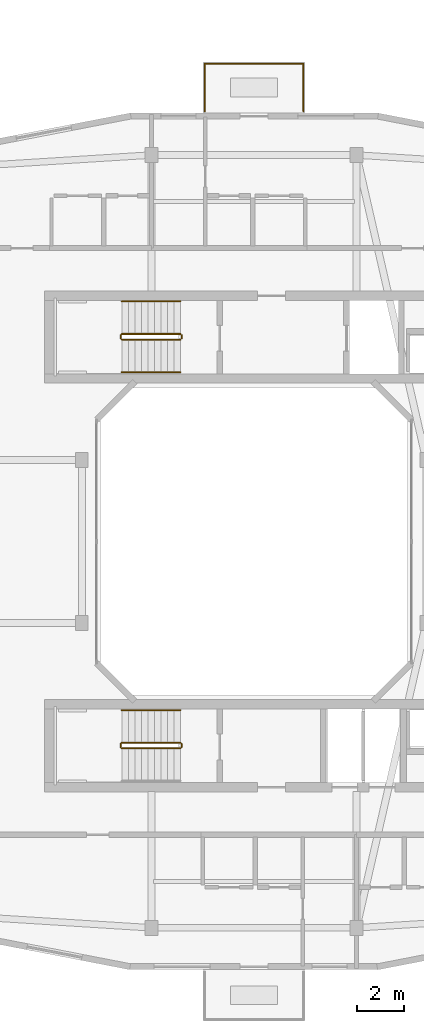
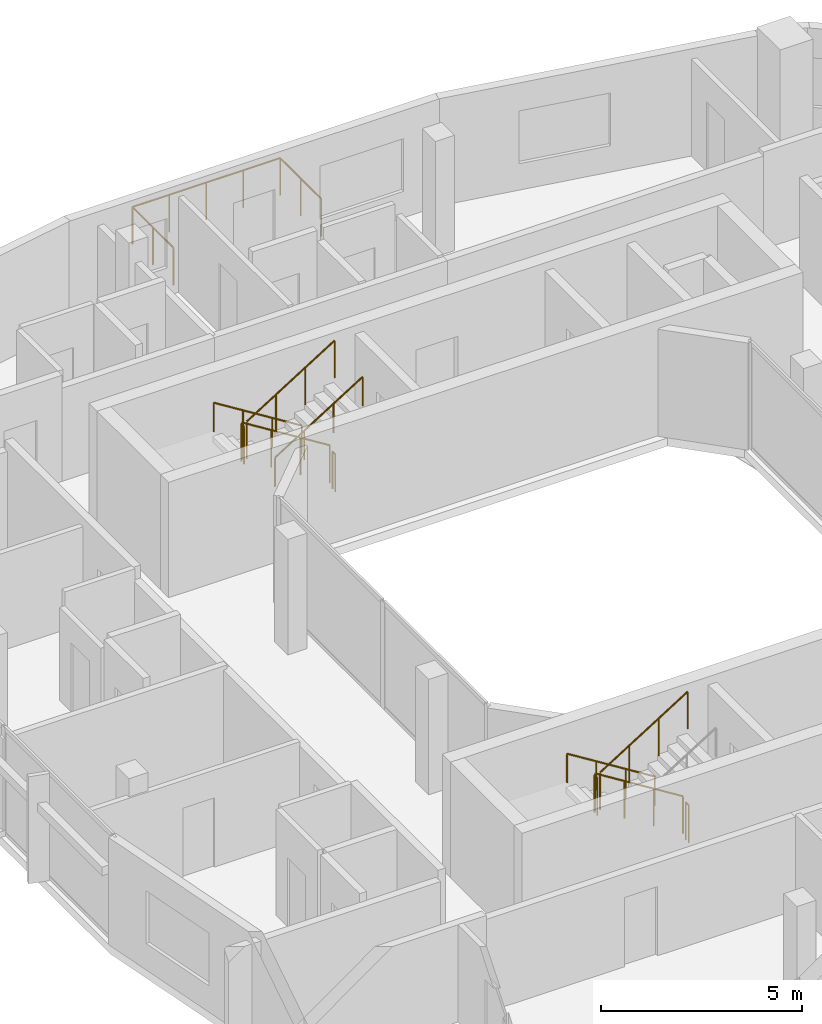
# One storey, part 22 of 22: 14 railings.
"""IFC4 building model written with IfcOpenShell, lengths in metres."""

from ifc_helpers import new_model, si_unit, derived_unit, direction, frame, origin, origin_2d, place, context, subcontext, project, spatial, circle, extrude, material, type_object, element, save


model = new_model("IFC4")

# Units and contexts
model_context = context("Model", 3, precision=1e-05, world=origin(), true_north=direction((0.0, 1.0)))
body_context = subcontext(model_context, "Body", "Model", "MODEL_VIEW")
ifc_project = project(units=[si_unit("LENGTHUNIT", "METRE"), si_unit("AREAUNIT", "SQUARE_METRE"), si_unit("VOLUMEUNIT", "CUBIC_METRE"), si_unit("PLANEANGLEUNIT", "RADIAN"), si_unit("MASSUNIT", "GRAM", prefix="KILO"), derived_unit("THERMALTRANSMITTANCEUNIT", [(si_unit("POWERUNIT", "WATT"), 1), (si_unit("LENGTHUNIT", "METRE"), -2), (si_unit("THERMODYNAMICTEMPERATUREUNIT", "KELVIN"), -1)])], contexts=[model_context])

# Site, building, storey
site_placement = place(None, origin())
site = spatial("IfcSite", under=ifc_project, at=site_placement, CompositionType="ELEMENT")
building_placement = place(site_placement, origin())
building = spatial("IfcBuilding", under=site, at=building_placement, Name="Kivonza Crest Hotel", CompositionType="ELEMENT")
storey_placement = place(building_placement, frame((0.0, 0.0, 112.5)))
storey = spatial("IfcBuildingStorey", under=building, at=storey_placement, Name="L30", CompositionType="ELEMENT", Elevation=112.5)

# Railings
ifc_material_1 = material(Name="Brushed stainless steel handrail", Category="steel")
railing_type_1 = type_object("IfcRailingType", Name="RL-HAND-900", PredefinedType="HANDRAIL", material=ifc_material_1)
railing_1_placement = place(storey_placement, frame((73.840087890625, 35.31005859375, 0.175048828125)))
element("IfcRailing", 1, at=railing_1_placement, inside=storey, type_object=railing_type_1, Name="L30 ST-T2-N stair handrail 1", PredefinedType="HANDRAIL", context=body_context, shape_type="SweptSolid", body=[
    extrude(circle(Radius=0.02392578125, at=origin_2d()), frame((0.0, 0.0, 0.8759765625), z_axis=(-0.848007534815, 0.0, 0.529984170421), x_axis=(0.0, -1.0, 0.0)), (0.0, 0.0, 1.0), 2.9716796875),
    extrude(circle(Radius=0.02099609375, at=origin_2d()), origin(), (0.0, 0.0, 1.0), 0.851806640625),
    extrude(circle(Radius=0.02099609375, at=origin_2d()), frame((-0.840087890625, 0.0, 0.52490234375)), (0.0, 0.0, 1.0), 0.851806640625),
    extrude(circle(Radius=0.02099609375, at=origin_2d()), frame((-1.679931640625, 0.0, 1.050048828125)), (0.0, 0.0, 1.0), 0.851806640625),
    extrude(circle(Radius=0.02099609375, at=origin_2d()), frame((-2.52001953125, 0.0, 1.574951171875)), (0.0, 0.0, 1.0), 0.851806640625),
])
railing_2_placement = place(storey_placement, frame((71.320068359375, 32.27001953125, 1.925048828125)))
element("IfcRailing", 2, at=railing_2_placement, inside=storey, type_object=railing_type_1, Name="L30 ST-T2-N stair handrail 2", PredefinedType="HANDRAIL", context=body_context, shape_type="SweptSolid", body=[
    extrude(circle(Radius=0.02392578125, at=origin_2d()), frame((0.0, 0.0, 0.8759765625), z_axis=(0.848007534815, 0.0, 0.529984170421), x_axis=(0.0, 1.0, 0.0)), (0.0, 0.0, 1.0), 2.9716796875),
    extrude(circle(Radius=0.02099609375, at=origin_2d()), origin(), (0.0, 0.0, 1.0), 0.851806640625),
    extrude(circle(Radius=0.02099609375, at=origin_2d()), frame((0.840087890625, 0.0, 0.52490234375)), (0.0, 0.0, 1.0), 0.851806640625),
    extrude(circle(Radius=0.02099609375, at=origin_2d()), frame((1.679931640625, 0.0, 1.050048828125)), (0.0, 0.0, 1.0), 0.851806640625),
    extrude(circle(Radius=0.02099609375, at=origin_2d()), frame((2.52001953125, 0.0, 1.574951171875)), (0.0, 0.0, 1.0), 0.851806640625),
])
railing_3_placement = place(storey_placement, frame((73.840087890625, 17.75, 0.175048828125)))
element("IfcRailing", 3, at=railing_3_placement, inside=storey, type_object=railing_type_1, Name="L30 ST-T2-S stair handrail 1", PredefinedType="HANDRAIL", context=body_context, shape_type="SweptSolid", body=[
    extrude(circle(Radius=0.02392578125, at=origin_2d()), frame((0.0, 0.0, 0.8759765625), z_axis=(-0.848007534815, 0.0, 0.529984170421), x_axis=(0.0, -1.0, 0.0)), (0.0, 0.0, 1.0), 2.9716796875),
    extrude(circle(Radius=0.02099609375, at=origin_2d()), origin(), (0.0, 0.0, 1.0), 0.851806640625),
    extrude(circle(Radius=0.02099609375, at=origin_2d()), frame((-0.840087890625, 0.0, 0.52490234375)), (0.0, 0.0, 1.0), 0.851806640625),
    extrude(circle(Radius=0.02099609375, at=origin_2d()), frame((-1.679931640625, 0.0, 1.050048828125)), (0.0, 0.0, 1.0), 0.851806640625),
    extrude(circle(Radius=0.02099609375, at=origin_2d()), frame((-2.52001953125, 0.0, 1.574951171875)), (0.0, 0.0, 1.0), 0.851806640625),
])
ifc_material_2 = material(Name="Painted steel balustrade", Category="steel")
railing_type_2 = type_object("IfcRailingType", Name="RL-STAIR-1150", PredefinedType="BALUSTRADE", material=ifc_material_2)
railing_4_placement = place(storey_placement, frame((73.840087890625, 33.909912109375, 0.175048828125)))
element("IfcRailing", 4, at=railing_4_placement, inside=storey, type_object=railing_type_2, Name="L30 ST-T2-N stair guard 1", PredefinedType="BALUSTRADE", context=body_context, shape_type="SweptSolid", body=[
    extrude(circle(Radius=0.02392578125, at=origin_2d()), frame((0.0, 0.0, 1.1259765625), z_axis=(-0.848007534815, 0.0, 0.529984170421), x_axis=(0.0, -1.0, 0.0)), (0.0, 0.0, 1.0), 2.9716796875),
    extrude(circle(Radius=0.02099609375, at=origin_2d()), origin(), (0.0, 0.0, 1.0), 1.101806640625),
    extrude(circle(Radius=0.02099609375, at=origin_2d()), frame((-0.840087890625, 0.0, 0.52490234375)), (0.0, 0.0, 1.0), 1.101806640625),
    extrude(circle(Radius=0.02099609375, at=origin_2d()), frame((-1.679931640625, 0.0, 1.050048828125)), (0.0, 0.0, 1.0), 1.101806640625),
    extrude(circle(Radius=0.02099609375, at=origin_2d()), frame((-2.52001953125, 0.0, 1.574951171875)), (0.0, 0.0, 1.0), 1.101806640625),
])
railing_5_placement = place(storey_placement, frame((71.27001953125, 33.860107421875, 1.75)))
element("IfcRailing", 5, at=railing_5_placement, inside=storey, type_object=railing_type_2, Name="L30 ST-T2-N stair guard 2", PredefinedType="BALUSTRADE", context=body_context, shape_type="SweptSolid", body=[
    extrude(circle(Radius=0.02392578125, at=origin_2d()), frame((0.0, 0.0, 1.1259765625), z_axis=(0.0, -1.0, 0.0), x_axis=(1.0, 0.0, 0.0)), (0.0, 0.0, 1.0), 0.14013671875),
    extrude(circle(Radius=0.02099609375, at=origin_2d()), origin(), (0.0, 0.0, 1.0), 1.101806640625),
    extrude(circle(Radius=0.02099609375, at=origin_2d()), frame((0.0, -0.14013671875, 0.0)), (0.0, 0.0, 1.0), 1.101806640625),
])
railing_6_placement = place(storey_placement, frame((71.320068359375, 33.669921875, 1.925048828125)))
element("IfcRailing", 6, at=railing_6_placement, inside=storey, type_object=railing_type_2, Name="L30 ST-T2-N stair guard 3", PredefinedType="BALUSTRADE", context=body_context, shape_type="SweptSolid", body=[
    extrude(circle(Radius=0.02392578125, at=origin_2d()), frame((0.0, 0.0, 1.1259765625), z_axis=(0.848007534815, 0.0, 0.529984170421), x_axis=(0.0, 1.0, 0.0)), (0.0, 0.0, 1.0), 2.9716796875),
    extrude(circle(Radius=0.02099609375, at=origin_2d()), origin(), (0.0, 0.0, 1.0), 1.101806640625),
    extrude(circle(Radius=0.02099609375, at=origin_2d()), frame((0.840087890625, 0.0, 0.52490234375)), (0.0, 0.0, 1.0), 1.101806640625),
    extrude(circle(Radius=0.02099609375, at=origin_2d()), frame((1.679931640625, 0.0, 1.050048828125)), (0.0, 0.0, 1.0), 1.101806640625),
    extrude(circle(Radius=0.02099609375, at=origin_2d()), frame((2.52001953125, 0.0, 1.574951171875)), (0.0, 0.0, 1.0), 1.101806640625),
])
railing_7_placement = place(storey_placement, frame((73.889892578125, 33.860107421875, 0.0)))
element("IfcRailing", 7, at=railing_7_placement, inside=storey, type_object=railing_type_2, Name="L30 ST-T2-N stair guard 4", PredefinedType="BALUSTRADE", context=body_context, shape_type="SweptSolid", body=[
    extrude(circle(Radius=0.02392578125, at=origin_2d()), frame((0.0, 0.0, 1.1259765625), z_axis=(0.0, -1.0, 0.0), x_axis=(1.0, 0.0, 0.0)), (0.0, 0.0, 1.0), 0.14013671875),
    extrude(circle(Radius=0.02099609375, at=origin_2d()), origin(), (0.0, 0.0, 1.0), 1.101806640625),
    extrude(circle(Radius=0.02099609375, at=origin_2d()), frame((0.0, -0.14013671875, 0.0)), (0.0, 0.0, 1.0), 1.101806640625),
])
railing_8_placement = place(storey_placement, frame((73.840087890625, 16.35009765625, 0.175048828125)))
element("IfcRailing", 8, at=railing_8_placement, inside=storey, type_object=railing_type_2, Name="L30 ST-T2-S stair guard 1", PredefinedType="BALUSTRADE", context=body_context, shape_type="SweptSolid", body=[
    extrude(circle(Radius=0.02392578125, at=origin_2d()), frame((0.0, 0.0, 1.1259765625), z_axis=(-0.848007534815, 0.0, 0.529984170421), x_axis=(0.0, -1.0, 0.0)), (0.0, 0.0, 1.0), 2.9716796875),
    extrude(circle(Radius=0.02099609375, at=origin_2d()), origin(), (0.0, 0.0, 1.0), 1.101806640625),
    extrude(circle(Radius=0.02099609375, at=origin_2d()), frame((-0.840087890625, 0.0, 0.52490234375)), (0.0, 0.0, 1.0), 1.101806640625),
    extrude(circle(Radius=0.02099609375, at=origin_2d()), frame((-1.679931640625, 0.0, 1.050048828125)), (0.0, 0.0, 1.0), 1.101806640625),
    extrude(circle(Radius=0.02099609375, at=origin_2d()), frame((-2.52001953125, 0.0, 1.574951171875)), (0.0, 0.0, 1.0), 1.101806640625),
])
railing_9_placement = place(storey_placement, frame((71.27001953125, 16.300048828125, 1.75)))
element("IfcRailing", 9, at=railing_9_placement, inside=storey, type_object=railing_type_2, Name="L30 ST-T2-S stair guard 2", PredefinedType="BALUSTRADE", context=body_context, shape_type="SweptSolid", body=[
    extrude(circle(Radius=0.02392578125, at=origin_2d()), frame((0.0, 0.0, 1.1259765625), z_axis=(0.0, -1.0, 0.0), x_axis=(1.0, 0.0, 0.0)), (0.0, 0.0, 1.0), 0.14013671875),
    extrude(circle(Radius=0.02099609375, at=origin_2d()), origin(), (0.0, 0.0, 1.0), 1.101806640625),
    extrude(circle(Radius=0.02099609375, at=origin_2d()), frame((0.0, -0.14013671875, 0.0)), (0.0, 0.0, 1.0), 1.101806640625),
])
railing_10_placement = place(storey_placement, frame((71.320068359375, 16.110107421875, 1.925048828125)))
element("IfcRailing", 10, at=railing_10_placement, inside=storey, type_object=railing_type_2, Name="L30 ST-T2-S stair guard 3", PredefinedType="BALUSTRADE", context=body_context, shape_type="SweptSolid", body=[
    extrude(circle(Radius=0.02392578125, at=origin_2d()), frame((0.0, 0.0, 1.1259765625), z_axis=(0.848007534815, 0.0, 0.529984170421), x_axis=(0.0, 1.0, 0.0)), (0.0, 0.0, 1.0), 2.9716796875),
    extrude(circle(Radius=0.02099609375, at=origin_2d()), origin(), (0.0, 0.0, 1.0), 1.101806640625),
    extrude(circle(Radius=0.02099609375, at=origin_2d()), frame((0.840087890625, 0.0, 0.52490234375)), (0.0, 0.0, 1.0), 1.101806640625),
    extrude(circle(Radius=0.02099609375, at=origin_2d()), frame((1.679931640625, 0.0, 1.050048828125)), (0.0, 0.0, 1.0), 1.101806640625),
    extrude(circle(Radius=0.02099609375, at=origin_2d()), frame((2.52001953125, 0.0, 1.574951171875)), (0.0, 0.0, 1.0), 1.101806640625),
])
railing_11_placement = place(storey_placement, frame((73.889892578125, 16.300048828125, 0.0)))
element("IfcRailing", 11, at=railing_11_placement, inside=storey, type_object=railing_type_2, Name="L30 ST-T2-S stair guard 4", PredefinedType="BALUSTRADE", context=body_context, shape_type="SweptSolid", body=[
    extrude(circle(Radius=0.02392578125, at=origin_2d()), frame((0.0, 0.0, 1.1259765625), z_axis=(0.0, -1.0, 0.0), x_axis=(1.0, 0.0, 0.0)), (0.0, 0.0, 1.0), 0.14013671875),
    extrude(circle(Radius=0.02099609375, at=origin_2d()), origin(), (0.0, 0.0, 1.0), 1.101806640625),
    extrude(circle(Radius=0.02099609375, at=origin_2d()), frame((0.0, -0.14013671875, 0.0)), (0.0, 0.0, 1.0), 1.101806640625),
])
ifc_material_3 = material(Name="Laminated glass and stainless steel balustrade", Category="steel")
railing_type_3 = type_object("IfcRailingType", Name="RL-TERR-1150", PredefinedType="BALUSTRADE", material=ifc_material_3)
railing_12_placement = place(storey_placement, frame((74.8798828125, 43.47998046875, 0.0)))
element("IfcRailing", 12, at=railing_12_placement, inside=storey, type_object=railing_type_3, Name="L30 T2-L30-SG-NE perimeter safety balustrade 1", PredefinedType="BALUSTRADE", context=body_context, shape_type="SweptSolid", body=[
    extrude(circle(Radius=0.02392578125, at=origin_2d()), frame((0.0, 0.0, 1.1259765625), z_axis=(0.0, 1.0, 0.0), x_axis=(-1.0, 0.0, 0.0)), (0.0, 0.0, 1.0), 2.0400390625),
    extrude(circle(Radius=0.02099609375, at=origin_2d()), origin(), (0.0, 0.0, 1.0), 1.101806640625),
    extrude(circle(Radius=0.02099609375, at=origin_2d()), frame((0.0, 1.02001953125, 0.0)), (0.0, 0.0, 1.0), 1.101806640625),
    extrude(circle(Radius=0.02099609375, at=origin_2d()), frame((0.0, 2.0400390625, 0.0)), (0.0, 0.0, 1.0), 1.101806640625),
])
railing_13_placement = place(storey_placement, frame((74.8798828125, 45.52001953125, 0.0)))
element("IfcRailing", 13, at=railing_13_placement, inside=storey, type_object=railing_type_3, Name="L30 T2-L30-SG-NE perimeter safety balustrade 2", PredefinedType="BALUSTRADE", context=body_context, shape_type="SweptSolid", body=[
    extrude(circle(Radius=0.02392578125, at=origin_2d()), frame((0.0, 0.0, 1.1259765625), z_axis=(1.0, 0.0, 0.0), x_axis=(0.0, 1.0, 0.0)), (0.0, 0.0, 1.0), 4.240234375),
    extrude(circle(Radius=0.02099609375, at=origin_2d()), origin(), (0.0, 0.0, 1.0), 1.101806640625),
    extrude(circle(Radius=0.02099609375, at=origin_2d()), frame((1.06005859375, 0.0, 0.0)), (0.0, 0.0, 1.0), 1.101806640625),
    extrude(circle(Radius=0.02099609375, at=origin_2d()), frame((2.1201171875, 0.0, 0.0)), (0.0, 0.0, 1.0), 1.101806640625),
    extrude(circle(Radius=0.02099609375, at=origin_2d()), frame((3.18017578125, 0.0, 0.0)), (0.0, 0.0, 1.0), 1.101806640625),
    extrude(circle(Radius=0.02099609375, at=origin_2d()), frame((4.240234375, 0.0, 0.0)), (0.0, 0.0, 1.0), 1.101806640625),
])
railing_14_placement = place(storey_placement, frame((79.1201171875, 45.52001953125, 0.0)))
element("IfcRailing", 14, at=railing_14_placement, inside=storey, type_object=railing_type_3, Name="L30 T2-L30-SG-NE perimeter safety balustrade 3", PredefinedType="BALUSTRADE", context=body_context, shape_type="SweptSolid", body=[
    extrude(circle(Radius=0.02392578125, at=origin_2d()), frame((0.0, 0.0, 1.1259765625), z_axis=(0.0, -1.0, 0.0), x_axis=(1.0, 0.0, 0.0)), (0.0, 0.0, 1.0), 2.0400390625),
    extrude(circle(Radius=0.02099609375, at=origin_2d()), origin(), (0.0, 0.0, 1.0), 1.101806640625),
    extrude(circle(Radius=0.02099609375, at=origin_2d()), frame((0.0, -1.02001953125, 0.0)), (0.0, 0.0, 1.0), 1.101806640625),
    extrude(circle(Radius=0.02099609375, at=origin_2d()), frame((0.0, -2.0400390625, 0.0)), (0.0, 0.0, 1.0), 1.101806640625),
])

save(model, "model.ifc")
